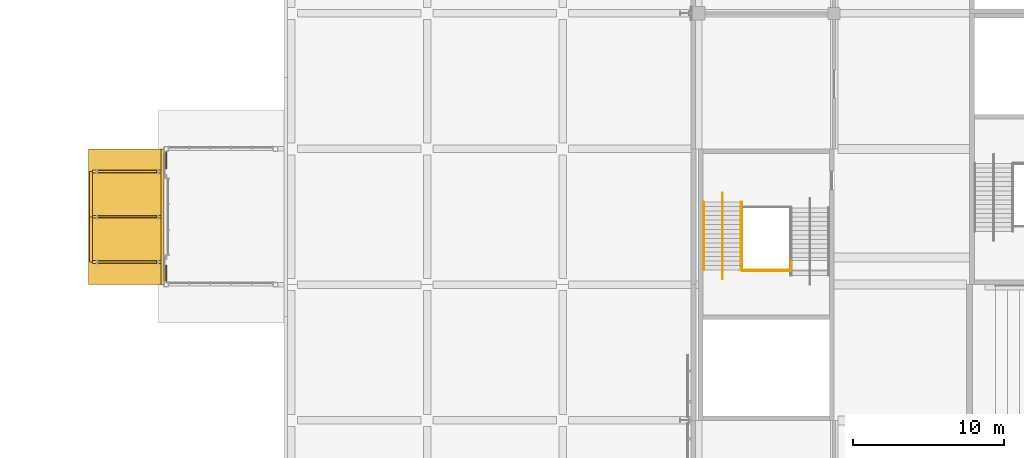
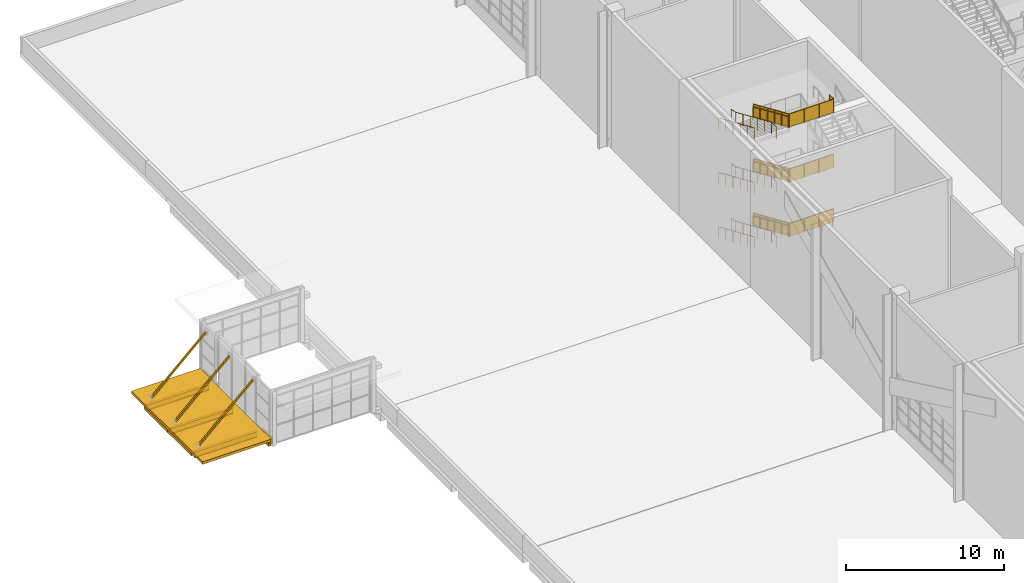
# One storey, part 149 of 182: 15 railings, 10 shading devices, 2 coverings.
"""IFC4 building model written with IfcOpenShell, lengths in metres."""

from ifc_helpers import new_model, si_unit, direction, frame, origin, origin_2d, place, context, subcontext, project, spatial, polyline, rectangle, hollow_rectangle, circle, i_section, outline, extrude, material, layer, layer_set, material_profile, profile_set, type_object, element, save


model = new_model("IFC4")

# Units and contexts
model_context = context("Model", 3, precision=1e-05, world=origin(), true_north=direction((0.0, 1.0)))
body_context = subcontext(model_context, "Body", "Model", "MODEL_VIEW")
ifc_project = project(units=[si_unit("LENGTHUNIT", "METRE"), si_unit("AREAUNIT", "SQUARE_METRE"), si_unit("VOLUMEUNIT", "CUBIC_METRE"), si_unit("PLANEANGLEUNIT", "RADIAN"), si_unit("MASSUNIT", "GRAM", prefix="KILO")], contexts=[model_context])

# Site, building, storey
site_placement = place(None, origin())
site = spatial("IfcSite", under=ifc_project, at=site_placement, CompositionType="ELEMENT")
building_placement = place(site_placement, origin())
building = spatial("IfcBuilding", under=site, at=building_placement, Name="Silverbay Arena", CompositionType="ELEMENT")
storey_placement = place(building_placement, frame((0.0, 0.0, 11.5)))
storey = spatial("IfcBuildingStorey", under=building, at=storey_placement, Name="L02", CompositionType="ELEMENT", Elevation=11.5)

# Coverings
ifc_material_1 = material(Name="Aluminium composite cladding", Category="aluminium")
ifc_layer = layer(ifc_material_1, 0.10009765625)
ifc_layer_set = layer_set([ifc_layer], Name="Aluminium composite cladding")
covering_type = type_object("IfcCoveringType", Name="Canopy band cladding 100", PredefinedType="CLADDING", material=ifc_layer_set)
covering_1_placement = place(storey_placement, origin())
element("IfcCovering", 1, at=covering_1_placement, inside=storey, type_object=covering_type, Name="Canopy band cladding", PredefinedType="CLADDING", context=body_context, shape_type="SweptSolid", body=[
    extrude(outline(polyline([(18.64990234375, 99.14990234375), (18.75, 99.14990234375), (18.75, 100.300048828125), (18.64990234375, 100.300048828125), (18.64990234375, 99.14990234375)])), origin(), (0.0, 0.0, 1.0), 0.5),
])
covering_2_placement = place(storey_placement, origin())
element("IfcCovering", 2, at=covering_2_placement, inside=storey, type_object=covering_type, Name="Canopy band cladding", PredefinedType="CLADDING", context=body_context, shape_type="SweptSolid", body=[
    extrude(outline(polyline([(18.64990234375, 106.699951171875), (18.75, 106.699951171875), (18.75, 107.85009765625), (18.64990234375, 107.85009765625), (18.64990234375, 106.699951171875)])), origin(), (0.0, 0.0, 1.0), 0.5),
])

# Shading devices
ifc_material_2 = material(Name="Steel S355", Category="steel")
ifc_material_profile_1 = material_profile(ifc_material_2, i_section(OverallWidth=0.18994140625, OverallDepth=0.453369140625, WebThickness=0.008544921875, FlangeThickness=0.0126953125, at=origin_2d()), Name="UB 457x191x67")
ifc_profile_set_1 = profile_set([ifc_material_profile_1], Name="Steel S355")
shading_device_type_1 = type_object("IfcShadingDeviceType", Name="Canopy beam UB 457x191x67", PredefinedType="USERDEFINED", material=ifc_profile_set_1)
for number, where, z_axis, x_axis, name in (
    (3, (18.35009765625, 100.5, 0.0732421875), (-1.0, 0.0, 0.0), (0.0, -1.0, 0.0), "West entrance hall W1 canopy beam 1"),
    (4, (18.35009765625, 103.5, 0.0732421875), (-1.0, 0.0, 0.0), (0.0, -1.0, 0.0), "West entrance hall W1 canopy beam 2"),
    (5, (18.35009765625, 106.5, 0.0732421875), (-1.0, 0.0, 0.0), (0.0, -1.0, 0.0), "West entrance hall W1 canopy beam 3"),
):
    element("IfcShadingDevice", number, at=place(storey_placement, frame(where, z_axis=z_axis, x_axis=x_axis)), inside=storey, type_object=shading_device_type_1, Name=name, ObjectType="CANOPY FRAME", PredefinedType="USERDEFINED", context=body_context, shape_type="SweptSolid", body=[
        extrude(i_section(OverallWidth=0.18994140625, OverallDepth=0.453369140625, WebThickness=0.008544921875, FlangeThickness=0.0126953125, at=origin_2d()), origin(), (0.0, 0.0, 1.0), 4.550048828125),
    ])
ifc_material_3 = material(Name="Steel S355", Category="steel")
ifc_material_profile_2 = material_profile(ifc_material_3, hollow_rectangle(XDim=0.199951171875, YDim=0.300048828125, WallThickness=0.008056640625, at=origin_2d()), Name="RHS 300x200x8")
ifc_profile_set_2 = profile_set([ifc_material_profile_2], Name="Steel S355")
shading_device_type_2 = type_object("IfcShadingDeviceType", Name="Canopy edge beam RHS 300x200x8", PredefinedType="USERDEFINED", material=ifc_profile_set_2)
for number, where, z_axis, x_axis, name in (
    (6, (13.699951171875, 100.5, 0.14990234375), (0.0, 1.0, 0.0), (-1.0, 0.0, 0.0), "West entrance hall W1 canopy edge beam 1"),
    (7, (13.699951171875, 103.5, 0.14990234375), (0.0, 1.0, 0.0), (-1.0, 0.0, 0.0), "West entrance hall W1 canopy edge beam 2"),
):
    element("IfcShadingDevice", number, at=place(storey_placement, frame(where, z_axis=z_axis, x_axis=x_axis)), inside=storey, type_object=shading_device_type_2, Name=name, ObjectType="CANOPY FRAME", PredefinedType="USERDEFINED", context=body_context, shape_type="SweptSolid", body=[
        extrude(hollow_rectangle(XDim=0.199951171875, YDim=0.300048828125, WallThickness=0.008056640625, at=origin_2d()), origin(), (0.0, 0.0, 1.0), 3.0),
    ])
ifc_material_4 = material(Name="Steel S355", Category="steel")
shading_device_type_3 = type_object("IfcShadingDeviceType", Name="Canopy plate 200", PredefinedType="AWNING", material=ifc_material_4)
shading_device_1_placement = place(storey_placement, frame((16.050048828125, 103.5, 0.2998046875), z_axis=(0.0, 0.0, 1.0), x_axis=(1.0, 0.0, 0.0)))
element("IfcShadingDevice", 8, at=shading_device_1_placement, inside=storey, type_object=shading_device_type_3, Name="West entrance hall W1 canopy", PredefinedType="AWNING", context=body_context, shape_type="SweptSolid", body=[
    extrude(rectangle(XDim=5.0, YDim=9.0, at=origin_2d()), origin(), (0.0, 0.0, 1.0), 0.199951171875),
])
ifc_material_5 = material(Name="Steel S355", Category="steel")
ifc_material_profile_3 = material_profile(ifc_material_5, hollow_rectangle(XDim=0.199951171875, YDim=0.300048828125, WallThickness=0.008056640625, at=origin_2d()), Name="RHS 300x200x8")
ifc_profile_set_3 = profile_set([ifc_material_profile_3], Name="Steel S355")
shading_device_type_4 = type_object("IfcShadingDeviceType", Name="Canopy rail RHS 300x200x8", PredefinedType="USERDEFINED", material=ifc_profile_set_3)
shading_device_2_placement = place(storey_placement, frame((18.449951171875, 99.0, 0.14990234375), z_axis=(0.0, 1.0, 0.0), x_axis=(-1.0, 0.0, 0.0)))
element("IfcShadingDevice", 9, at=shading_device_2_placement, inside=storey, type_object=shading_device_type_4, Name="West entrance hall W1 canopy rail 1", ObjectType="CANOPY FRAME", PredefinedType="USERDEFINED", context=body_context, shape_type="SweptSolid", body=[
    extrude(hollow_rectangle(XDim=0.199951171875, YDim=0.300048828125, WallThickness=0.008056640625, at=origin_2d()), origin(), (0.0, 0.0, 1.0), 9.0),
])
ifc_material_6 = material(Name="Steel S355", Category="steel")
ifc_material_profile_4 = material_profile(ifc_material_6, hollow_rectangle(XDim=0.1201171875, YDim=0.1201171875, WallThickness=0.00634765625, at=origin_2d()), Name="SHS 120x120x6.3")
ifc_profile_set_4 = profile_set([ifc_material_profile_4], Name="Steel S355")
shading_device_type_5 = type_object("IfcShadingDeviceType", Name="Canopy tie SHS 120x120x6.3", PredefinedType="USERDEFINED", material=ifc_profile_set_4)
for number, where, z_axis, x_axis, name in (
    (10, (18.10009765625, 100.5, 4.35009765625), (-0.734450066869, 0.0, -0.678662728663), (0.0, -1.0, 0.0), "West entrance hall W1 canopy tie 1"),
    (11, (18.10009765625, 103.5, 4.35009765625), (-0.734450066869, 0.0, -0.678662728663), (0.0, -1.0, 0.0), "West entrance hall W1 canopy tie 2"),
    (12, (18.10009765625, 106.5, 4.35009765625), (-0.734450066869, 0.0, -0.678662728663), (0.0, -1.0, 0.0), "West entrance hall W1 canopy tie 3"),
):
    element("IfcShadingDevice", number, at=place(storey_placement, frame(where, z_axis=z_axis, x_axis=x_axis)), inside=storey, type_object=shading_device_type_5, Name=name, ObjectType="CANOPY FRAME", PredefinedType="USERDEFINED", context=body_context, shape_type="SweptSolid", body=[
        extrude(hollow_rectangle(XDim=0.1201171875, YDim=0.1201171875, WallThickness=0.00634765625, at=origin_2d()), origin(), (0.0, 0.0, 1.0), 5.37841796875),
    ])

# Railings
ifc_material_7 = material(Name="Stainless steel", Category="steel")
railing_type_1 = type_object("IfcRailingType", Name="Stair guard 1100", PredefinedType="GUARDRAIL", material=ifc_material_7)
railing_1_placement = place(storey_placement, frame((56.875, 104.47412109375, 0.13134765625)))
element("IfcRailing", 13, at=railing_1_placement, inside=storey, type_object=railing_type_1, Name="Stair ST-W2 L02 to L03 flight 1 guard left", PredefinedType="GUARDRAIL", context=body_context, shape_type="SweptSolid", body=[
    extrude(circle(Radius=0.02392578125, at=origin_2d()), frame((0.0, 0.0, 1.076171875), z_axis=(0.0, -0.916157334902, 0.40081883402), x_axis=(1.0, 0.0, 0.0)), (0.0, 0.0, 1.0), 4.911865234375),
    extrude(outline(polyline([(-0.008056640625, 0.04638671875), (0.907958984375, 0.447265625), (0.907958984375, 1.4501953125), (-0.008056640625, 1.049560546875), (-0.008056640625, 0.04638671875)])), frame((0.0029296875, 0.0, 0.0), z_axis=(-1.0, 0.0, 0.0), x_axis=(0.0, -1.0, 0.0)), (0.0, 0.0, 1.0), 0.006103515625),
    extrude(outline(polyline([(-0.008056640625, 0.440185546875), (0.907958984375, 0.841064453125), (0.907958984375, 1.843994140625), (-0.008056640625, 1.443359375), (-0.008056640625, 0.440185546875)])), frame((0.0029296875, -0.89990234375, 0.0), z_axis=(-1.0, 0.0, 0.0), x_axis=(0.0, -1.0, 0.0)), (0.0, 0.0, 1.0), 0.006103515625),
    extrude(outline(polyline([(-0.008056640625, 0.833984375), (0.907958984375, 1.23486328125), (0.907958984375, 2.23779296875), (-0.008056640625, 1.8369140625), (-0.008056640625, 0.833984375)])), frame((0.0029296875, -1.800048828125, 0.0), z_axis=(-1.0, 0.0, 0.0), x_axis=(0.0, -1.0, 0.0)), (0.0, 0.0, 1.0), 0.006103515625),
    extrude(outline(polyline([(-0.008056640625, 1.227783203125), (0.907958984375, 1.62841796875), (0.907958984375, 2.631591796875), (-0.008056640625, 2.230712890625), (-0.008056640625, 1.227783203125)])), frame((0.0029296875, -2.699951171875, 0.0), z_axis=(-1.0, 0.0, 0.0), x_axis=(0.0, -1.0, 0.0)), (0.0, 0.0, 1.0), 0.006103515625),
    extrude(outline(polyline([(-0.008056640625, 1.62158203125), (0.907958984375, 2.022216796875), (0.907958984375, 3.025146484375), (-0.008056640625, 2.62451171875), (-0.008056640625, 1.62158203125)])), frame((0.0029296875, -3.60009765625, 0.0), z_axis=(-1.0, 0.0, 0.0), x_axis=(0.0, -1.0, 0.0)), (0.0, 0.0, 1.0), 0.006103515625),
    extrude(circle(Radius=0.02099609375, at=origin_2d()), origin(), (0.0, 0.0, 1.0), 1.052001953125),
    extrude(circle(Radius=0.02099609375, at=origin_2d()), frame((0.0, -0.89990234375, 0.393798828125)), (0.0, 0.0, 1.0), 1.052001953125),
    extrude(circle(Radius=0.02099609375, at=origin_2d()), frame((0.0, -1.800048828125, 0.78759765625)), (0.0, 0.0, 1.0), 1.052001953125),
    extrude(circle(Radius=0.02099609375, at=origin_2d()), frame((0.0, -2.699951171875, 1.18115234375)), (0.0, 0.0, 1.0), 1.052001953125),
    extrude(circle(Radius=0.02099609375, at=origin_2d()), frame((0.0, -3.60009765625, 1.574951171875)), (0.0, 0.0, 1.0), 1.052001953125),
    extrude(circle(Radius=0.02099609375, at=origin_2d()), frame((0.0, -4.5, 1.96875)), (0.0, 0.0, 1.0), 1.052001953125),
])
railing_2_placement = place(storey_placement, frame((56.875, 104.47412109375, 4.331298828125)))
element("IfcRailing", 14, at=railing_2_placement, inside=storey, type_object=railing_type_1, Name="Stair ST-W2 L02 to L03 flight 3 guard left", PredefinedType="GUARDRAIL", context=body_context, shape_type="SweptSolid", body=[
    extrude(circle(Radius=0.02392578125, at=origin_2d()), frame((0.0, 0.0, 1.076171875), z_axis=(0.0, -0.916157334902, 0.40081883402), x_axis=(1.0, 0.0, 0.0)), (0.0, 0.0, 1.0), 4.911865234375),
    extrude(outline(polyline([(-0.008056640625, 0.04638671875), (0.907958984375, 0.447265625), (0.907958984375, 1.4501953125), (-0.008056640625, 1.049560546875), (-0.008056640625, 0.04638671875)])), frame((0.0029296875, 0.0, 0.0), z_axis=(-1.0, 0.0, 0.0), x_axis=(0.0, -1.0, 0.0)), (0.0, 0.0, 1.0), 0.006103515625),
    extrude(outline(polyline([(-0.008056640625, 0.440185546875), (0.907958984375, 0.841064453125), (0.907958984375, 1.843994140625), (-0.008056640625, 1.443359375), (-0.008056640625, 0.440185546875)])), frame((0.0029296875, -0.89990234375, 0.0), z_axis=(-1.0, 0.0, 0.0), x_axis=(0.0, -1.0, 0.0)), (0.0, 0.0, 1.0), 0.006103515625),
    extrude(outline(polyline([(-0.008056640625, 0.833984375), (0.907958984375, 1.23486328125), (0.907958984375, 2.23779296875), (-0.008056640625, 1.8369140625), (-0.008056640625, 0.833984375)])), frame((0.0029296875, -1.800048828125, 0.0), z_axis=(-1.0, 0.0, 0.0), x_axis=(0.0, -1.0, 0.0)), (0.0, 0.0, 1.0), 0.006103515625),
    extrude(outline(polyline([(-0.008056640625, 1.227783203125), (0.907958984375, 1.62841796875), (0.907958984375, 2.631591796875), (-0.008056640625, 2.230712890625), (-0.008056640625, 1.227783203125)])), frame((0.0029296875, -2.699951171875, 0.0), z_axis=(-1.0, 0.0, 0.0), x_axis=(0.0, -1.0, 0.0)), (0.0, 0.0, 1.0), 0.006103515625),
    extrude(outline(polyline([(-0.008056640625, 1.62158203125), (0.907958984375, 2.022216796875), (0.907958984375, 3.025146484375), (-0.008056640625, 2.62451171875), (-0.008056640625, 1.62158203125)])), frame((0.0029296875, -3.60009765625, 0.0), z_axis=(-1.0, 0.0, 0.0), x_axis=(0.0, -1.0, 0.0)), (0.0, 0.0, 1.0), 0.006103515625),
    extrude(circle(Radius=0.02099609375, at=origin_2d()), origin(), (0.0, 0.0, 1.0), 1.052001953125),
    extrude(circle(Radius=0.02099609375, at=origin_2d()), frame((0.0, -0.89990234375, 0.393798828125)), (0.0, 0.0, 1.0), 1.052001953125),
    extrude(circle(Radius=0.02099609375, at=origin_2d()), frame((0.0, -1.800048828125, 0.78759765625)), (0.0, 0.0, 1.0), 1.052001953125),
    extrude(circle(Radius=0.02099609375, at=origin_2d()), frame((0.0, -2.699951171875, 1.18115234375)), (0.0, 0.0, 1.0), 1.052001953125),
    extrude(circle(Radius=0.02099609375, at=origin_2d()), frame((0.0, -3.60009765625, 1.574951171875)), (0.0, 0.0, 1.0), 1.052001953125),
    extrude(circle(Radius=0.02099609375, at=origin_2d()), frame((0.0, -4.5, 1.96875)), (0.0, 0.0, 1.0), 1.052001953125),
])
railing_3_placement = place(storey_placement, frame((56.875, 104.47412109375, 8.53125)))
element("IfcRailing", 15, at=railing_3_placement, inside=storey, type_object=railing_type_1, Name="Stair ST-W2 L02 to L03 flight 5 guard left", PredefinedType="GUARDRAIL", context=body_context, shape_type="SweptSolid", body=[
    extrude(circle(Radius=0.02392578125, at=origin_2d()), frame((0.0, 0.0, 1.076171875), z_axis=(0.0, -0.916157334902, 0.40081883402), x_axis=(1.0, 0.0, 0.0)), (0.0, 0.0, 1.0), 4.911865234375),
    extrude(outline(polyline([(-0.008056640625, 0.04638671875), (0.907958984375, 0.447265625), (0.907958984375, 1.4501953125), (-0.008056640625, 1.049560546875), (-0.008056640625, 0.04638671875)])), frame((0.0029296875, 0.0, 0.0), z_axis=(-1.0, 0.0, 0.0), x_axis=(0.0, -1.0, 0.0)), (0.0, 0.0, 1.0), 0.006103515625),
    extrude(outline(polyline([(-0.008056640625, 0.440185546875), (0.907958984375, 0.841064453125), (0.907958984375, 1.843994140625), (-0.008056640625, 1.443359375), (-0.008056640625, 0.440185546875)])), frame((0.0029296875, -0.89990234375, 0.0), z_axis=(-1.0, 0.0, 0.0), x_axis=(0.0, -1.0, 0.0)), (0.0, 0.0, 1.0), 0.006103515625),
    extrude(outline(polyline([(-0.008056640625, 0.833984375), (0.907958984375, 1.23486328125), (0.907958984375, 2.23779296875), (-0.008056640625, 1.8369140625), (-0.008056640625, 0.833984375)])), frame((0.0029296875, -1.800048828125, 0.0), z_axis=(-1.0, 0.0, 0.0), x_axis=(0.0, -1.0, 0.0)), (0.0, 0.0, 1.0), 0.006103515625),
    extrude(outline(polyline([(-0.008056640625, 1.227783203125), (0.907958984375, 1.62841796875), (0.907958984375, 2.631591796875), (-0.008056640625, 2.230712890625), (-0.008056640625, 1.227783203125)])), frame((0.0029296875, -2.699951171875, 0.0), z_axis=(-1.0, 0.0, 0.0), x_axis=(0.0, -1.0, 0.0)), (0.0, 0.0, 1.0), 0.006103515625),
    extrude(outline(polyline([(-0.008056640625, 1.62158203125), (0.907958984375, 2.022216796875), (0.907958984375, 3.025146484375), (-0.008056640625, 2.62451171875), (-0.008056640625, 1.62158203125)])), frame((0.0029296875, -3.60009765625, 0.0), z_axis=(-1.0, 0.0, 0.0), x_axis=(0.0, -1.0, 0.0)), (0.0, 0.0, 1.0), 0.006103515625),
    extrude(circle(Radius=0.02099609375, at=origin_2d()), origin(), (0.0, 0.0, 1.0), 1.052001953125),
    extrude(circle(Radius=0.02099609375, at=origin_2d()), frame((0.0, -0.89990234375, 0.393798828125)), (0.0, 0.0, 1.0), 1.052001953125),
    extrude(circle(Radius=0.02099609375, at=origin_2d()), frame((0.0, -1.800048828125, 0.78759765625)), (0.0, 0.0, 1.0), 1.052001953125),
    extrude(circle(Radius=0.02099609375, at=origin_2d()), frame((0.0, -2.699951171875, 1.18115234375)), (0.0, 0.0, 1.0), 1.052001953125),
    extrude(circle(Radius=0.02099609375, at=origin_2d()), frame((0.0, -3.60009765625, 1.574951171875)), (0.0, 0.0, 1.0), 1.052001953125),
    extrude(circle(Radius=0.02099609375, at=origin_2d()), frame((0.0, -4.5, 1.96875)), (0.0, 0.0, 1.0), 1.052001953125),
])
for number, where, name in (
    (16, (60.10009765625, 99.92431640625, 2.10009765625), "Stair ST-W2 L02 to L03 landing 1 guard"),
    (17, (60.10009765625, 99.92431640625, 6.300048828125), "Stair ST-W2 L02 to L03 landing 3 guard"),
):
    element("IfcRailing", number, at=place(storey_placement, frame(where)), inside=storey, type_object=railing_type_1, Name=name, PredefinedType="GUARDRAIL", context=body_context, shape_type="SweptSolid", body=[
        extrude(circle(Radius=0.02392578125, at=origin_2d()), frame((0.0, 0.0, 1.076171875), z_axis=(-1.0, 0.0, 0.0), x_axis=(0.0, -1.0, 0.0)), (0.0, 0.0, 1.0), 3.2001953125),
        extrude(outline(polyline([(-0.008056640625, 0.050048828125), (1.07470703125, 0.050048828125), (1.07470703125, 1.052978515625), (-0.008056640625, 1.052978515625), (-0.008056640625, 0.050048828125)])), frame((0.0, -0.0029296875, 0.0), z_axis=(0.0, 1.0, 0.0), x_axis=(-1.0, 0.0, 0.0)), (0.0, 0.0, 1.0), 0.006103515625),
        extrude(outline(polyline([(-0.008056640625, 0.050048828125), (1.07470703125, 0.050048828125), (1.07470703125, 1.052978515625), (-0.008056640625, 1.052978515625), (-0.008056640625, 0.050048828125)])), frame((-1.066650390625, -0.0029296875, 0.0), z_axis=(0.0, 1.0, 0.0), x_axis=(-1.0, 0.0, 0.0)), (0.0, 0.0, 1.0), 0.006103515625),
        extrude(outline(polyline([(-0.008056640625, 0.050048828125), (1.07470703125, 0.050048828125), (1.07470703125, 1.052978515625), (-0.008056640625, 1.052978515625), (-0.008056640625, 0.050048828125)])), frame((-2.133544921875, -0.0029296875, 0.0), z_axis=(0.0, 1.0, 0.0), x_axis=(-1.0, 0.0, 0.0)), (0.0, 0.0, 1.0), 0.006103515625),
        extrude(circle(Radius=0.02099609375, at=origin_2d()), origin(), (0.0, 0.0, 1.0), 1.052001953125),
        extrude(circle(Radius=0.02099609375, at=origin_2d()), frame((-1.066650390625, 0.0, 0.0)), (0.0, 0.0, 1.0), 1.052001953125),
        extrude(circle(Radius=0.02099609375, at=origin_2d()), frame((-2.133544921875, 0.0, 0.0)), (0.0, 0.0, 1.0), 1.052001953125),
        extrude(circle(Radius=0.02099609375, at=origin_2d()), frame((-3.2001953125, 0.0, 0.0)), (0.0, 0.0, 1.0), 1.052001953125),
    ])
railing_4_placement = place(storey_placement, frame((60.14990234375, 100.550048828125, 10.5)))
element("IfcRailing", 18, at=railing_4_placement, inside=storey, type_object=railing_type_1, Name="Stair ST-W2 L02 to L03 landing 5 guard", PredefinedType="GUARDRAIL", context=body_context, shape_type="SweptSolid", body=[
    extrude(circle(Radius=0.02392578125, at=origin_2d()), frame((0.0, 0.0, 1.076171875), z_axis=(0.0, -1.0, 0.0), x_axis=(1.0, 0.0, 0.0)), (0.0, 0.0, 1.0), 0.575927734375),
    extrude(outline(polyline([(-0.008056640625, 0.050048828125), (0.583984375, 0.050048828125), (0.583984375, 1.052978515625), (-0.008056640625, 1.052978515625), (-0.008056640625, 0.050048828125)])), frame((0.0029296875, 0.0, 0.0), z_axis=(-1.0, 0.0, 0.0), x_axis=(0.0, -1.0, 0.0)), (0.0, 0.0, 1.0), 0.006103515625),
    extrude(circle(Radius=0.02392578125, at=origin_2d()), frame((0.0, -0.575927734375, 1.076171875), z_axis=(-1.0, 0.0, 0.0), x_axis=(0.0, -1.0, 0.0)), (0.0, 0.0, 1.0), 3.25),
    extrude(outline(polyline([(-0.008056640625, 0.050048828125), (1.09130859375, 0.050048828125), (1.09130859375, 1.052978515625), (-0.008056640625, 1.052978515625), (-0.008056640625, 0.050048828125)])), frame((0.0, -0.578857421875, 0.0), z_axis=(0.0, 1.0, 0.0), x_axis=(-1.0, 0.0, 0.0)), (0.0, 0.0, 1.0), 0.006103515625),
    extrude(outline(polyline([(-0.008056640625, 0.050048828125), (1.09130859375, 0.050048828125), (1.09130859375, 1.052978515625), (-0.008056640625, 1.052978515625), (-0.008056640625, 0.050048828125)])), frame((-1.083251953125, -0.578857421875, 0.0), z_axis=(0.0, 1.0, 0.0), x_axis=(-1.0, 0.0, 0.0)), (0.0, 0.0, 1.0), 0.006103515625),
    extrude(outline(polyline([(-0.008056640625, 0.050048828125), (1.09130859375, 0.050048828125), (1.09130859375, 1.052978515625), (-0.008056640625, 1.052978515625), (-0.008056640625, 0.050048828125)])), frame((-2.166748046875, -0.578857421875, 0.0), z_axis=(0.0, 1.0, 0.0), x_axis=(-1.0, 0.0, 0.0)), (0.0, 0.0, 1.0), 0.006103515625),
    extrude(circle(Radius=0.02099609375, at=origin_2d()), origin(), (0.0, 0.0, 1.0), 1.052001953125),
    extrude(circle(Radius=0.02099609375, at=origin_2d()), frame((0.0, -0.575927734375, 0.0)), (0.0, 0.0, 1.0), 1.052001953125),
    extrude(circle(Radius=0.02099609375, at=origin_2d()), frame((-1.083251953125, -0.575927734375, 0.0)), (0.0, 0.0, 1.0), 1.052001953125),
    extrude(circle(Radius=0.02099609375, at=origin_2d()), frame((-2.166748046875, -0.575927734375, 0.0)), (0.0, 0.0, 1.0), 1.052001953125),
    extrude(circle(Radius=0.02099609375, at=origin_2d()), frame((-3.25, -0.575927734375, 0.0)), (0.0, 0.0, 1.0), 1.052001953125),
])
ifc_material_8 = material(Name="Stainless steel", Category="steel")
railing_type_2 = type_object("IfcRailingType", Name="Stair handrail 900", PredefinedType="HANDRAIL", material=ifc_material_8)
for number, where, name in (
    (19, (56.8359375, 104.47412109375, 0.13134765625), "Stair ST-W2 L02 to L03 flight 1 handrail left"),
    (20, (54.35009765625, 104.47412109375, 0.13134765625), "Stair ST-W2 L02 to L03 flight 1 handrail right"),
):
    element("IfcRailing", number, at=place(storey_placement, frame(where)), inside=storey, type_object=railing_type_2, Name=name, PredefinedType="HANDRAIL", context=body_context, shape_type="SweptSolid", body=[
        extrude(circle(Radius=0.02392578125, at=origin_2d()), frame((0.0, 0.0, 0.8759765625), z_axis=(0.0, -0.916157334902, 0.40081883402), x_axis=(1.0, 0.0, 0.0)), (0.0, 0.0, 1.0), 4.911865234375),
        extrude(circle(Radius=0.02099609375, at=origin_2d()), origin(), (0.0, 0.0, 1.0), 0.851806640625),
        extrude(circle(Radius=0.02099609375, at=origin_2d()), frame((0.0, -0.89990234375, 0.393798828125)), (0.0, 0.0, 1.0), 0.851806640625),
        extrude(circle(Radius=0.02099609375, at=origin_2d()), frame((0.0, -1.800048828125, 0.78759765625)), (0.0, 0.0, 1.0), 0.851806640625),
        extrude(circle(Radius=0.02099609375, at=origin_2d()), frame((0.0, -2.699951171875, 1.18115234375)), (0.0, 0.0, 1.0), 0.851806640625),
        extrude(circle(Radius=0.02099609375, at=origin_2d()), frame((0.0, -3.60009765625, 1.574951171875)), (0.0, 0.0, 1.0), 0.851806640625),
        extrude(circle(Radius=0.02099609375, at=origin_2d()), frame((0.0, -4.5, 1.96875)), (0.0, 0.0, 1.0), 0.851806640625),
    ])
railing_5_placement = place(storey_placement, frame((55.60009765625, 105.07421875, 0.0)))
element("IfcRailing", 21, at=railing_5_placement, inside=storey, type_object=railing_type_2, Name="Stair ST-W2 L02 to L03 flight 1 central handrail", PredefinedType="HANDRAIL", context=body_context, shape_type="SweptSolid", body=[
    extrude(circle(Radius=0.02392578125, at=origin_2d()), frame((0.0, 0.0, 0.8759765625), z_axis=(0.0, -0.976874083041, 0.213815401414), x_axis=(1.0, 0.0, 0.0)), (0.0, 0.0, 1.0), 0.6142578125),
    extrude(circle(Radius=0.02392578125, at=origin_2d()), frame((0.0, -0.60009765625, 1.00732421875), z_axis=(0.0, -0.916157334902, 0.40081883402), x_axis=(1.0, 0.0, 0.0)), (0.0, 0.0, 1.0), 4.911865234375),
    extrude(circle(Radius=0.02392578125, at=origin_2d()), frame((0.0, -5.10009765625, 2.97607421875), z_axis=(0.0, -1.0, 0.0), x_axis=(1.0, 0.0, 0.0)), (0.0, 0.0, 1.0), 0.599853515625),
    extrude(circle(Radius=0.02099609375, at=origin_2d()), origin(), (0.0, 0.0, 1.0), 0.851806640625),
    extrude(circle(Radius=0.02099609375, at=origin_2d()), frame((0.0, -0.60009765625, 0.13134765625)), (0.0, 0.0, 1.0), 0.851806640625),
    extrude(circle(Radius=0.02099609375, at=origin_2d()), frame((0.0, -1.5, 0.525146484375)), (0.0, 0.0, 1.0), 0.851806640625),
    extrude(circle(Radius=0.02099609375, at=origin_2d()), frame((0.0, -2.400146484375, 0.9189453125)), (0.0, 0.0, 1.0), 0.851806640625),
    extrude(circle(Radius=0.02099609375, at=origin_2d()), frame((0.0, -3.300048828125, 1.3125)), (0.0, 0.0, 1.0), 0.851806640625),
    extrude(circle(Radius=0.02099609375, at=origin_2d()), frame((0.0, -4.2001953125, 1.706298828125)), (0.0, 0.0, 1.0), 0.851806640625),
    extrude(circle(Radius=0.02099609375, at=origin_2d()), frame((0.0, -5.10009765625, 2.10009765625)), (0.0, 0.0, 1.0), 0.851806640625),
    extrude(circle(Radius=0.02099609375, at=origin_2d()), frame((0.0, -5.699951171875, 2.10009765625)), (0.0, 0.0, 1.0), 0.851806640625),
])
for number, where, name in (
    (22, (56.8359375, 104.47412109375, 4.331298828125), "Stair ST-W2 L02 to L03 flight 3 handrail left"),
    (23, (54.35009765625, 104.47412109375, 4.331298828125), "Stair ST-W2 L02 to L03 flight 3 handrail right"),
):
    element("IfcRailing", number, at=place(storey_placement, frame(where)), inside=storey, type_object=railing_type_2, Name=name, PredefinedType="HANDRAIL", context=body_context, shape_type="SweptSolid", body=[
        extrude(circle(Radius=0.02392578125, at=origin_2d()), frame((0.0, 0.0, 0.8759765625), z_axis=(0.0, -0.916157334902, 0.40081883402), x_axis=(1.0, 0.0, 0.0)), (0.0, 0.0, 1.0), 4.911865234375),
        extrude(circle(Radius=0.02099609375, at=origin_2d()), origin(), (0.0, 0.0, 1.0), 0.851806640625),
        extrude(circle(Radius=0.02099609375, at=origin_2d()), frame((0.0, -0.89990234375, 0.393798828125)), (0.0, 0.0, 1.0), 0.851806640625),
        extrude(circle(Radius=0.02099609375, at=origin_2d()), frame((0.0, -1.800048828125, 0.78759765625)), (0.0, 0.0, 1.0), 0.851806640625),
        extrude(circle(Radius=0.02099609375, at=origin_2d()), frame((0.0, -2.699951171875, 1.18115234375)), (0.0, 0.0, 1.0), 0.851806640625),
        extrude(circle(Radius=0.02099609375, at=origin_2d()), frame((0.0, -3.60009765625, 1.574951171875)), (0.0, 0.0, 1.0), 0.851806640625),
        extrude(circle(Radius=0.02099609375, at=origin_2d()), frame((0.0, -4.5, 1.96875)), (0.0, 0.0, 1.0), 0.851806640625),
    ])
railing_6_placement = place(storey_placement, frame((55.60009765625, 105.07421875, 4.199951171875)))
element("IfcRailing", 24, at=railing_6_placement, inside=storey, type_object=railing_type_2, Name="Stair ST-W2 L02 to L03 flight 3 central handrail", PredefinedType="HANDRAIL", context=body_context, shape_type="SweptSolid", body=[
    extrude(circle(Radius=0.02392578125, at=origin_2d()), frame((0.0, 0.0, 0.8759765625), z_axis=(0.0, -0.976874083041, 0.213815401414), x_axis=(1.0, 0.0, 0.0)), (0.0, 0.0, 1.0), 0.6142578125),
    extrude(circle(Radius=0.02392578125, at=origin_2d()), frame((0.0, -0.60009765625, 1.00732421875), z_axis=(0.0, -0.916157334902, 0.40081883402), x_axis=(1.0, 0.0, 0.0)), (0.0, 0.0, 1.0), 4.911865234375),
    extrude(circle(Radius=0.02392578125, at=origin_2d()), frame((0.0, -5.10009765625, 2.97607421875), z_axis=(0.0, -1.0, 0.0), x_axis=(1.0, 0.0, 0.0)), (0.0, 0.0, 1.0), 0.599853515625),
    extrude(circle(Radius=0.02099609375, at=origin_2d()), origin(), (0.0, 0.0, 1.0), 0.851806640625),
    extrude(circle(Radius=0.02099609375, at=origin_2d()), frame((0.0, -0.60009765625, 0.13134765625)), (0.0, 0.0, 1.0), 0.851806640625),
    extrude(circle(Radius=0.02099609375, at=origin_2d()), frame((0.0, -1.5, 0.525146484375)), (0.0, 0.0, 1.0), 0.851806640625),
    extrude(circle(Radius=0.02099609375, at=origin_2d()), frame((0.0, -2.400146484375, 0.9189453125)), (0.0, 0.0, 1.0), 0.851806640625),
    extrude(circle(Radius=0.02099609375, at=origin_2d()), frame((0.0, -3.300048828125, 1.3125)), (0.0, 0.0, 1.0), 0.851806640625),
    extrude(circle(Radius=0.02099609375, at=origin_2d()), frame((0.0, -4.2001953125, 1.706298828125)), (0.0, 0.0, 1.0), 0.851806640625),
    extrude(circle(Radius=0.02099609375, at=origin_2d()), frame((0.0, -5.10009765625, 2.10009765625)), (0.0, 0.0, 1.0), 0.851806640625),
    extrude(circle(Radius=0.02099609375, at=origin_2d()), frame((0.0, -5.699951171875, 2.10009765625)), (0.0, 0.0, 1.0), 0.851806640625),
])
for number, where, name in (
    (25, (56.8359375, 104.47412109375, 8.53125), "Stair ST-W2 L02 to L03 flight 5 handrail left"),
    (26, (54.35009765625, 104.47412109375, 8.53125), "Stair ST-W2 L02 to L03 flight 5 handrail right"),
):
    element("IfcRailing", number, at=place(storey_placement, frame(where)), inside=storey, type_object=railing_type_2, Name=name, PredefinedType="HANDRAIL", context=body_context, shape_type="SweptSolid", body=[
        extrude(circle(Radius=0.02392578125, at=origin_2d()), frame((0.0, 0.0, 0.8759765625), z_axis=(0.0, -0.916157334902, 0.40081883402), x_axis=(1.0, 0.0, 0.0)), (0.0, 0.0, 1.0), 4.911865234375),
        extrude(circle(Radius=0.02099609375, at=origin_2d()), origin(), (0.0, 0.0, 1.0), 0.851806640625),
        extrude(circle(Radius=0.02099609375, at=origin_2d()), frame((0.0, -0.89990234375, 0.393798828125)), (0.0, 0.0, 1.0), 0.851806640625),
        extrude(circle(Radius=0.02099609375, at=origin_2d()), frame((0.0, -1.800048828125, 0.78759765625)), (0.0, 0.0, 1.0), 0.851806640625),
        extrude(circle(Radius=0.02099609375, at=origin_2d()), frame((0.0, -2.699951171875, 1.18115234375)), (0.0, 0.0, 1.0), 0.851806640625),
        extrude(circle(Radius=0.02099609375, at=origin_2d()), frame((0.0, -3.60009765625, 1.574951171875)), (0.0, 0.0, 1.0), 0.851806640625),
        extrude(circle(Radius=0.02099609375, at=origin_2d()), frame((0.0, -4.5, 1.96875)), (0.0, 0.0, 1.0), 0.851806640625),
    ])
railing_7_placement = place(storey_placement, frame((55.60009765625, 105.07421875, 8.39990234375)))
element("IfcRailing", 27, at=railing_7_placement, inside=storey, type_object=railing_type_2, Name="Stair ST-W2 L02 to L03 flight 5 central handrail", PredefinedType="HANDRAIL", context=body_context, shape_type="SweptSolid", body=[
    extrude(circle(Radius=0.02392578125, at=origin_2d()), frame((0.0, 0.0, 0.8759765625), z_axis=(0.0, -0.976874083041, 0.213815401414), x_axis=(1.0, 0.0, 0.0)), (0.0, 0.0, 1.0), 0.6142578125),
    extrude(circle(Radius=0.02392578125, at=origin_2d()), frame((0.0, -0.60009765625, 1.00732421875), z_axis=(0.0, -0.916157334902, 0.40081883402), x_axis=(1.0, 0.0, 0.0)), (0.0, 0.0, 1.0), 4.911865234375),
    extrude(circle(Radius=0.02392578125, at=origin_2d()), frame((0.0, -5.10009765625, 2.97607421875), z_axis=(0.0, -1.0, 0.0), x_axis=(1.0, 0.0, 0.0)), (0.0, 0.0, 1.0), 0.599853515625),
    extrude(circle(Radius=0.02099609375, at=origin_2d()), origin(), (0.0, 0.0, 1.0), 0.851806640625),
    extrude(circle(Radius=0.02099609375, at=origin_2d()), frame((0.0, -0.60009765625, 0.13134765625)), (0.0, 0.0, 1.0), 0.851806640625),
    extrude(circle(Radius=0.02099609375, at=origin_2d()), frame((0.0, -1.5, 0.525146484375)), (0.0, 0.0, 1.0), 0.851806640625),
    extrude(circle(Radius=0.02099609375, at=origin_2d()), frame((0.0, -2.400146484375, 0.9189453125)), (0.0, 0.0, 1.0), 0.851806640625),
    extrude(circle(Radius=0.02099609375, at=origin_2d()), frame((0.0, -3.300048828125, 1.3125)), (0.0, 0.0, 1.0), 0.851806640625),
    extrude(circle(Radius=0.02099609375, at=origin_2d()), frame((0.0, -4.2001953125, 1.706298828125)), (0.0, 0.0, 1.0), 0.851806640625),
    extrude(circle(Radius=0.02099609375, at=origin_2d()), frame((0.0, -5.10009765625, 2.10009765625)), (0.0, 0.0, 1.0), 0.851806640625),
    extrude(circle(Radius=0.02099609375, at=origin_2d()), frame((0.0, -5.699951171875, 2.10009765625)), (0.0, 0.0, 1.0), 0.851806640625),
])

save(model, "model.ifc")
